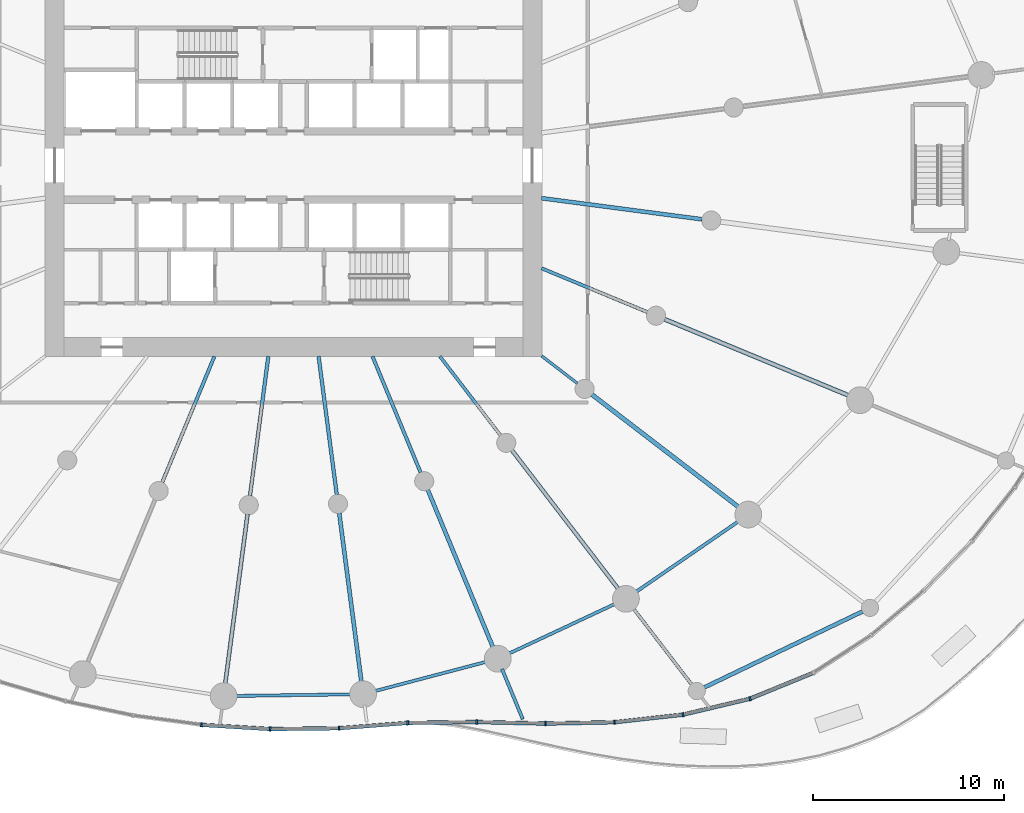
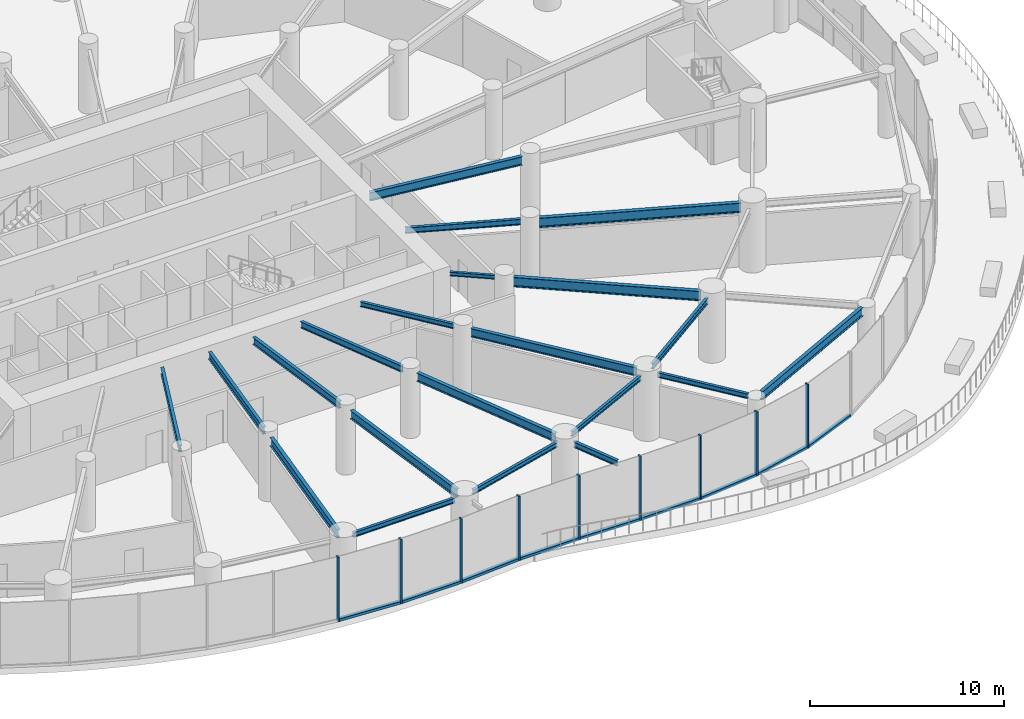
# One storey, part 3 of 19: 21 beams, 18 members, 2 elements without a shape of their own.
"""IFC4 building model written with IfcOpenShell, lengths in metres."""

from ifc_helpers import new_model, si_unit, direction, frame, origin, origin_2d, place, context, subcontext, project, spatial, rectangle, i_section, extrude, source, transform, mapped, material, layer, layer_set, material_profile, profile_set, type_object, element, aggregate, save


model = new_model("IFC4")

# Units and contexts
model_context = context("Model", 3, precision=1e-05, world=origin(), true_north=direction((0.0, 1.0)))
body_context = subcontext(model_context, "Body", "Model", "MODEL_VIEW")
ifc_project = project(units=[si_unit("LENGTHUNIT", "METRE"), si_unit("AREAUNIT", "SQUARE_METRE"), si_unit("VOLUMEUNIT", "CUBIC_METRE"), si_unit("PLANEANGLEUNIT", "RADIAN"), si_unit("MASSUNIT", "GRAM", prefix="KILO")], contexts=[model_context])

# Site, building, storey
site_placement = place(None, origin())
site = spatial("IfcSite", under=ifc_project, at=site_placement, CompositionType="ELEMENT")
building_placement = place(site_placement, origin())
building = spatial("IfcBuilding", under=site, at=building_placement, Name="Spindrift Exchange Tower", CompositionType="ELEMENT")
storey_placement = place(building_placement, frame((0.0, 0.0, 13.800048828125)))
storey = spatial("IfcBuildingStorey", under=building, at=storey_placement, Name="L03", CompositionType="ELEMENT", Elevation=13.800048828125)

# Beams
ifc_material_1 = material(Name="Steel Grade 300", Category="steel")
ifc_material_profile_1 = material_profile(ifc_material_1, i_section(OverallWidth=0.177978515625, OverallDepth=0.406005859375, WebThickness=0.0078125, FlangeThickness=0.0126953125, FilletRadius=0.013916015625, at=origin_2d()), Name="410UB59.7")
ifc_profile_set_1 = profile_set([ifc_material_profile_1], Name="Steel Grade 300")
beam_type_1 = type_object("IfcBeamType", Name="Floor Beam 410UB59.7 Steel Grade 300", PredefinedType="BEAM", material=ifc_profile_set_1)
shared_shape_1 = source(origin(), body_context, "Body", "SweptSolid", [
    extrude(i_section(OverallWidth=0.177978515625, OverallDepth=0.406005859375, WebThickness=0.0078125, FlangeThickness=0.0126953125, FilletRadius=0.013916015625, at=origin_2d()), origin(), (0.0, 0.0, 1.0), 7.150634765625),
])
beam_1_placement = place(storey_placement, frame((47.865478515625, 38.0185546875, 3.846923828125), z_axis=(-0.382665393358, -0.923887004306, 0.0), x_axis=(0.923887004306, -0.382665393358, 0.0)))
element("IfcBeam", 1, at=beam_1_placement, inside=storey, type_object=beam_type_1, Name="L03 radial beam R17A", PredefinedType="BEAM", context=body_context, shape_type="MappedRepresentation", body=[
    mapped(shared_shape_1, transform((0.0, 0.0, 0.0), scale=1.0)),
])
ifc_material_profile_2 = material_profile(ifc_material_1, i_section(OverallWidth=0.18994140625, OverallDepth=0.45703125, WebThickness=0.009033203125, FlangeThickness=0.014404296875, FilletRadius=0.013916015625, at=origin_2d()), Name="460UB74.6")
ifc_profile_set_2 = profile_set([ifc_material_profile_2], Name="Steel Grade 300")
beam_type_2 = type_object("IfcBeamType", Name="Floor Beam 460UB74.6 Steel Grade 300", PredefinedType="BEAM", material=ifc_profile_set_2)
shared_shape_2 = source(origin(), body_context, "Body", "SweptSolid", [
    extrude(i_section(OverallWidth=0.18994140625, OverallDepth=0.45703125, WebThickness=0.009033203125, FlangeThickness=0.014404296875, FilletRadius=0.013916015625, at=origin_2d()), origin(), (0.0, 0.0, 1.0), 7.374267578125),
])
beam_2_placement = place(storey_placement, frame((50.68603515625, 38.019775390625, 3.821533203125), z_axis=(-0.130539295622, -0.99144313619, 0.0), x_axis=(0.99144313619, -0.130539295622, 0.0)))
element("IfcBeam", 2, at=beam_2_placement, inside=storey, type_object=beam_type_2, Name="L03 radial beam R18A", PredefinedType="BEAM", context=body_context, shape_type="MappedRepresentation", body=[
    mapped(shared_shape_2, transform((0.0, 0.0, 0.0), scale=1.0)),
])
ifc_material_profile_3 = material_profile(ifc_material_1, i_section(OverallWidth=0.208984375, OverallDepth=0.532958984375, WebThickness=0.01025390625, FlangeThickness=0.015625, FilletRadius=0.013916015625, at=origin_2d()), Name="530UB92.4")
ifc_profile_set_3 = profile_set([ifc_material_profile_3], Name="Steel Grade 300")
beam_type_3 = type_object("IfcBeamType", Name="Floor Beam 530UB92.4 Steel Grade 300", PredefinedType="BEAM", material=ifc_profile_set_3)
shared_shape_3 = source(origin(), body_context, "Body", "SweptSolid", [
    extrude(i_section(OverallWidth=0.208984375, OverallDepth=0.532958984375, WebThickness=0.01025390625, FlangeThickness=0.015625, FilletRadius=0.013916015625, at=origin_2d()), origin(), (0.0, 0.0, 1.0), 9.020263671875),
])
beam_3_placement = place(storey_placement, frame((49.59814453125, 29.7568359375, 3.783447265625), z_axis=(-0.13051122338, -0.991446831944, 0.0), x_axis=(0.991446831944, -0.13051122338, 0.0)))
element("IfcBeam", 3, at=beam_3_placement, inside=storey, type_object=beam_type_3, Name="L03 radial beam R18B", PredefinedType="BEAM", context=body_context, shape_type="MappedRepresentation", body=[
    mapped(shared_shape_3, transform((0.0, 0.0, 0.0), scale=1.0)),
])
shared_shape_4 = source(origin(), body_context, "Body", "SweptSolid", [
    extrude(i_section(OverallWidth=0.18994140625, OverallDepth=0.45703125, WebThickness=0.009033203125, FlangeThickness=0.014404296875, FilletRadius=0.013916015625, at=origin_2d()), origin(), (0.0, 0.0, 1.0), 7.3095703125),
])
beam_4_placement = place(storey_placement, frame((53.31396484375, 38.019775390625, 3.821533203125), z_axis=(0.130527087244, -0.991444743541, 0.0), x_axis=(0.991444743541, 0.130527087244, 0.0)))
element("IfcBeam", 4, at=beam_4_placement, inside=storey, type_object=beam_type_2, Name="L03 radial beam R19A", PredefinedType="BEAM", context=body_context, shape_type="MappedRepresentation", body=[
    mapped(shared_shape_4, transform((0.0, 0.0, 0.0), scale=1.0)),
])
shared_shape_5 = source(origin(), body_context, "Body", "SweptSolid", [
    extrude(i_section(OverallWidth=0.208984375, OverallDepth=0.532958984375, WebThickness=0.01025390625, FlangeThickness=0.015625, FilletRadius=0.013916015625, at=origin_2d()), origin(), (0.0, 0.0, 1.0), 8.98388671875),
])
beam_5_placement = place(storey_placement, frame((54.393310546875, 29.82080078125, 3.783447265625), z_axis=(0.130524106785, -0.991445135924, 0.0), x_axis=(0.991445135924, 0.130524106785, 0.0)))
element("IfcBeam", 5, at=beam_5_placement, inside=storey, type_object=beam_type_3, Name="L03 radial beam R19B", PredefinedType="BEAM", context=body_context, shape_type="MappedRepresentation", body=[
    mapped(shared_shape_5, transform((0.0, 0.0, 0.0), scale=1.0)),
])
shared_shape_6 = source(origin(), body_context, "Body", "SweptSolid", [
    extrude(i_section(OverallWidth=0.177978515625, OverallDepth=0.406005859375, WebThickness=0.0078125, FlangeThickness=0.0126953125, FilletRadius=0.013916015625, at=origin_2d()), origin(), (0.0, 0.0, 1.0), 6.594482421875),
])
beam_6_placement = place(storey_placement, frame((56.134521484375, 38.0185546875, 3.846923828125), z_axis=(0.382692929746, -0.92387559851, 0.0), x_axis=(0.92387559851, 0.382692929746, 0.0)))
element("IfcBeam", 6, at=beam_6_placement, inside=storey, type_object=beam_type_1, Name="L03 radial beam R20A", PredefinedType="BEAM", context=body_context, shape_type="MappedRepresentation", body=[
    mapped(shared_shape_6, transform((0.0, 0.0, 0.0), scale=1.0)),
])
shared_shape_7 = source(origin(), body_context, "Body", "SweptSolid", [
    extrude(i_section(OverallWidth=0.208984375, OverallDepth=0.532958984375, WebThickness=0.01025390625, FlangeThickness=0.015625, FilletRadius=0.013916015625, at=origin_2d()), origin(), (0.0, 0.0, 1.0), 8.99658203125),
])
beam_7_placement = place(storey_placement, frame((59.025390625, 31.0390625, 3.783447265625), z_axis=(0.382685731718, -0.923878580085, 0.0), x_axis=(0.923878580085, 0.382685731718, 0.0)))
element("IfcBeam", 7, at=beam_7_placement, inside=storey, type_object=beam_type_3, Name="L03 radial beam R20B", PredefinedType="BEAM", context=body_context, shape_type="MappedRepresentation", body=[
    mapped(shared_shape_7, transform((0.0, 0.0, 0.0), scale=1.0)),
])
ifc_material_profile_4 = material_profile(ifc_material_1, i_section(OverallWidth=0.1650390625, OverallDepth=0.303955078125, WebThickness=0.006103515625, FlangeThickness=0.01025390625, FilletRadius=0.011474609375, at=origin_2d()), Name="310UB40.4")
ifc_profile_set_4 = profile_set([ifc_material_profile_4], Name="Steel Grade 300")
beam_type_4 = type_object("IfcBeamType", Name="Floor Beam 310UB40.4 Steel Grade 300", PredefinedType="BEAM", material=ifc_profile_set_4)
shared_shape_8 = source(origin(), body_context, "Body", "SweptSolid", [
    extrude(i_section(OverallWidth=0.1650390625, OverallDepth=0.303955078125, WebThickness=0.006103515625, FlangeThickness=0.01025390625, FilletRadius=0.011474609375, at=origin_2d()), origin(), (0.0, 0.0, 1.0), 5.224609375),
])
beam_8_placement = place(storey_placement, frame((59.6611328125, 38.015869140625, 3.89794921875), z_axis=(0.608741499316, -0.793368632485, 0.0), x_axis=(0.793368632485, 0.608741499316, 0.0)))
element("IfcBeam", 8, at=beam_8_placement, inside=storey, type_object=beam_type_4, Name="L03 radial beam R21A", PredefinedType="BEAM", context=body_context, shape_type="MappedRepresentation", body=[
    mapped(shared_shape_8, transform((0.0, 0.0, 0.0), scale=1.0)),
])
shared_shape_9 = source(origin(), body_context, "Body", "SweptSolid", [
    extrude(i_section(OverallWidth=0.208984375, OverallDepth=0.532958984375, WebThickness=0.01025390625, FlangeThickness=0.015625, FilletRadius=0.013916015625, at=origin_2d()), origin(), (0.0, 0.0, 1.0), 9.227783203125),
])
beam_9_placement = place(storey_placement, frame((63.426025390625, 33.109375, 3.783447265625), z_axis=(0.608747534474, -0.79336400175, 0.0), x_axis=(0.79336400175, 0.608747534474, 0.0)))
element("IfcBeam", 9, at=beam_9_placement, inside=storey, type_object=beam_type_3, Name="L03 radial beam R21B", PredefinedType="BEAM", context=body_context, shape_type="MappedRepresentation", body=[
    mapped(shared_shape_9, transform((0.0, 0.0, 0.0), scale=1.0)),
])
ifc_material_profile_5 = material_profile(ifc_material_1, i_section(OverallWidth=0.14599609375, OverallDepth=0.251953125, WebThickness=0.006103515625, FlangeThickness=0.008544921875, FilletRadius=0.011962890625, at=origin_2d()), Name="250UB31.4")
ifc_profile_set_5 = profile_set([ifc_material_profile_5], Name="Steel Grade 300")
beam_type_5 = type_object("IfcBeamType", Name="Floor Beam 250UB31.4 Steel Grade 300", PredefinedType="BEAM", material=ifc_profile_set_5)
shared_shape_10 = source(origin(), body_context, "Body", "SweptSolid", [
    extrude(i_section(OverallWidth=0.14599609375, OverallDepth=0.251953125, WebThickness=0.006103515625, FlangeThickness=0.008544921875, FilletRadius=0.011962890625, at=origin_2d()), origin(), (0.0, 0.0, 1.0), 2.353759765625),
])
beam_10_placement = place(storey_placement, frame((64.984130859375, 38.036865234375, 3.924072265625), z_axis=(0.793367573265, -0.608742879787, 0.0), x_axis=(0.608742879787, 0.793367573265, 0.0)))
element("IfcBeam", 10, at=beam_10_placement, inside=storey, type_object=beam_type_5, Name="L03 radial beam R22A", PredefinedType="BEAM", context=body_context, shape_type="MappedRepresentation", body=[
    mapped(shared_shape_10, transform((0.0, 0.0, 0.0), scale=1.0)),
])
ifc_material_profile_6 = material_profile(ifc_material_1, i_section(OverallWidth=0.22802734375, OverallDepth=0.60693359375, WebThickness=0.01123046875, FlangeThickness=0.017333984375, FilletRadius=0.013916015625, at=origin_2d()), Name="610UB113")
ifc_profile_set_6 = profile_set([ifc_material_profile_6], Name="Steel Grade 300")
beam_type_6 = type_object("IfcBeamType", Name="Floor Beam 610UB113 Steel Grade 300", PredefinedType="BEAM", material=ifc_profile_set_6)
shared_shape_11 = source(origin(), body_context, "Body", "SweptSolid", [
    extrude(i_section(OverallWidth=0.22802734375, OverallDepth=0.60693359375, WebThickness=0.01123046875, FlangeThickness=0.017333984375, FilletRadius=0.013916015625, at=origin_2d()), origin(), (0.0, 0.0, 1.0), 9.73974609375),
])
beam_11_placement = place(storey_placement, frame((67.61328125, 36.01953125, 3.746337890625), z_axis=(0.793352119621, -0.608763019814, 0.0), x_axis=(0.608763019814, 0.793352119621, 0.0)))
element("IfcBeam", 11, at=beam_11_placement, inside=storey, type_object=beam_type_6, Name="L03 radial beam R22B", PredefinedType="BEAM", context=body_context, shape_type="MappedRepresentation", body=[
    mapped(shared_shape_11, transform((0.0, 0.0, 0.0), scale=1.0)),
])
ifc_material_profile_7 = material_profile(ifc_material_1, i_section(OverallWidth=0.172119140625, OverallDepth=0.35888671875, WebThickness=0.008056640625, FlangeThickness=0.012939453125, FilletRadius=0.013916015625, at=origin_2d()), Name="360UB56.7")
ifc_profile_set_7 = profile_set([ifc_material_profile_7], Name="Steel Grade 300")
beam_type_7 = type_object("IfcBeamType", Name="Floor Beam 360UB56.7 Steel Grade 300", PredefinedType="BEAM", material=ifc_profile_set_7)
shared_shape_12 = source(origin(), body_context, "Body", "SweptSolid", [
    extrude(i_section(OverallWidth=0.172119140625, OverallDepth=0.35888671875, WebThickness=0.008056640625, FlangeThickness=0.012939453125, FilletRadius=0.013916015625, at=origin_2d()), origin(), (0.0, 0.0, 1.0), 6.004638671875),
])
beam_12_placement = place(storey_placement, frame((64.9814453125, 42.622802734375, 3.870361328125), z_axis=(0.923882044911, -0.38267736684, 0.0), x_axis=(0.38267736684, 0.923882044911, 0.0)))
element("IfcBeam", 12, at=beam_12_placement, inside=storey, type_object=beam_type_7, Name="L03 radial beam R23A", PredefinedType="BEAM", context=body_context, shape_type="MappedRepresentation", body=[
    mapped(shared_shape_12, transform((0.0, 0.0, 0.0), scale=1.0)),
])
shared_shape_13 = source(origin(), body_context, "Body", "SweptSolid", [
    extrude(i_section(OverallWidth=0.22802734375, OverallDepth=0.60693359375, WebThickness=0.01123046875, FlangeThickness=0.017333984375, FilletRadius=0.013916015625, at=origin_2d()), origin(), (0.0, 0.0, 1.0), 10.4912109375),
])
beam_13_placement = place(storey_placement, frame((71.416015625, 39.95751953125, 3.746337890625), z_axis=(0.923885231151, -0.382669674342, 0.0), x_axis=(0.382669674342, 0.923885231151, 0.0)))
element("IfcBeam", 13, at=beam_13_placement, inside=storey, type_object=beam_type_6, Name="L03 radial beam R23B", PredefinedType="BEAM", context=body_context, shape_type="MappedRepresentation", body=[
    mapped(shared_shape_13, transform((0.0, 0.0, 0.0), scale=1.0)),
])
shared_shape_14 = source(origin(), body_context, "Body", "SweptSolid", [
    extrude(i_section(OverallWidth=0.208984375, OverallDepth=0.532958984375, WebThickness=0.01025390625, FlangeThickness=0.015625, FilletRadius=0.013916015625, at=origin_2d()), origin(), (0.0, 0.0, 1.0), 8.4794921875),
])
beam_14_placement = place(storey_placement, frame((64.980224609375, 46.291015625, 3.783447265625), z_axis=(0.991446551951, -0.13051335037, 0.0), x_axis=(0.13051335037, 0.991446551951, 0.0)))
element("IfcBeam", 14, at=beam_14_placement, inside=storey, type_object=beam_type_3, Name="L03 radial beam R24A", PredefinedType="BEAM", context=body_context, shape_type="MappedRepresentation", body=[
    mapped(shared_shape_14, transform((0.0, 0.0, 0.0), scale=1.0)),
])
shared_shape_15 = source(origin(), body_context, "Body", "SweptSolid", [
    extrude(i_section(OverallWidth=0.1650390625, OverallDepth=0.303955078125, WebThickness=0.006103515625, FlangeThickness=0.01025390625, FilletRadius=0.011474609375, at=origin_2d()), origin(), (0.0, 0.0, 1.0), 5.072509765625),
])
beam_15_placement = place(storey_placement, frame((69.749755859375, 24.8681640625, 3.89794921875), z_axis=(0.608742705523, -0.793367706976, 0.0), x_axis=(0.793367706976, 0.608742705523, 0.0)))
element("IfcBeam", 15, at=beam_15_placement, inside=storey, type_object=beam_type_4, Name="L03 radial beam R21C1", PredefinedType="BEAM", context=body_context, shape_type="MappedRepresentation", body=[
    mapped(shared_shape_15, transform((0.0, 0.0, 0.0), scale=1.0)),
])
ifc_material_profile_8 = material_profile(ifc_material_1, i_section(OverallWidth=0.1650390625, OverallDepth=0.303955078125, WebThickness=0.006103515625, FlangeThickness=0.01025390625, FilletRadius=0.011474609375, at=origin_2d()), Name="310UB40.4")
ifc_profile_set_8 = profile_set([ifc_material_profile_8], Name="Steel Grade 300")
beam_type_8 = type_object("IfcBeamType", Name="Edge Beam 310UB40.4 Steel Grade 300", PredefinedType="SPANDREL", material=ifc_profile_set_8)
shared_shape_16 = source(origin(), body_context, "Body", "SweptSolid", [
    extrude(i_section(OverallWidth=0.1650390625, OverallDepth=0.303955078125, WebThickness=0.006103515625, FlangeThickness=0.01025390625, FilletRadius=0.011474609375, at=origin_2d()), origin(), (0.0, 0.0, 1.0), 6.13720703125),
])
beam_16_placement = place(storey_placement, frame((48.925048828125, 20.24658203125, 3.89794921875), z_axis=(0.999905820907, 0.013724041543, 0.0), x_axis=(-0.013724041543, 0.999905820907, 0.0)))
element("IfcBeam", 16, at=beam_16_placement, inside=storey, type_object=beam_type_8, Name="L03 edge beam E18", PredefinedType="SPANDREL", context=body_context, shape_type="MappedRepresentation", body=[
    mapped(shared_shape_16, transform((0.0, 0.0, 0.0), scale=1.0)),
])
shared_shape_17 = source(origin(), body_context, "Body", "SweptSolid", [
    extrude(i_section(OverallWidth=0.1650390625, OverallDepth=0.303955078125, WebThickness=0.006103515625, FlangeThickness=0.01025390625, FilletRadius=0.011474609375, at=origin_2d()), origin(), (0.0, 0.0, 1.0), 6.128173828125),
])
beam_17_placement = place(storey_placement, frame((56.20263671875, 20.486083984375, 3.89794921875), z_axis=(0.967147261855, 0.254216785216, 0.0), x_axis=(-0.254216785216, 0.967147261855, 0.0)))
element("IfcBeam", 17, at=beam_17_placement, inside=storey, type_object=beam_type_8, Name="L03 edge beam E19", PredefinedType="SPANDREL", context=body_context, shape_type="MappedRepresentation", body=[
    mapped(shared_shape_17, transform((0.0, 0.0, 0.0), scale=1.0)),
])
shared_shape_18 = source(origin(), body_context, "Body", "SweptSolid", [
    extrude(i_section(OverallWidth=0.1650390625, OverallDepth=0.303955078125, WebThickness=0.006103515625, FlangeThickness=0.01025390625, FilletRadius=0.011474609375, at=origin_2d()), origin(), (0.0, 0.0, 1.0), 6.243408203125),
])
beam_18_placement = place(storey_placement, frame((63.2158203125, 22.43701171875, 3.89794921875), z_axis=(0.905791146607, 0.423724437257, 0.0), x_axis=(-0.423724437257, 0.905791146607, 0.0)))
element("IfcBeam", 18, at=beam_18_placement, inside=storey, type_object=beam_type_8, Name="L03 edge beam E20", PredefinedType="SPANDREL", context=body_context, shape_type="MappedRepresentation", body=[
    mapped(shared_shape_18, transform((0.0, 0.0, 0.0), scale=1.0)),
])
ifc_material_profile_9 = material_profile(ifc_material_1, i_section(OverallWidth=0.172119140625, OverallDepth=0.35888671875, WebThickness=0.008056640625, FlangeThickness=0.012939453125, FilletRadius=0.013916015625, at=origin_2d()), Name="360UB56.7")
ifc_profile_set_9 = profile_set([ifc_material_profile_9], Name="Steel Grade 300")
beam_type_9 = type_object("IfcBeamType", Name="Edge Beam 360UB56.7 Steel Grade 300", PredefinedType="SPANDREL", material=ifc_profile_set_9)
shared_shape_19 = source(origin(), body_context, "Body", "SweptSolid", [
    extrude(i_section(OverallWidth=0.172119140625, OverallDepth=0.35888671875, WebThickness=0.008056640625, FlangeThickness=0.012939453125, FilletRadius=0.013916015625, at=origin_2d()), origin(), (0.0, 0.0, 1.0), 6.614990234375),
])
beam_19_placement = place(storey_placement, frame((69.874267578125, 25.6572265625, 3.870361328125), z_axis=(0.823690708835, 0.567039342708, 0.0), x_axis=(-0.567039342708, 0.823690708835, 0.0)))
element("IfcBeam", 19, at=beam_19_placement, inside=storey, type_object=beam_type_9, Name="L03 edge beam E21", PredefinedType="SPANDREL", context=body_context, shape_type="MappedRepresentation", body=[
    mapped(shared_shape_19, transform((0.0, 0.0, 0.0), scale=1.0)),
])
ifc_material_profile_10 = material_profile(ifc_material_1, i_section(OverallWidth=0.172119140625, OverallDepth=0.35888671875, WebThickness=0.008056640625, FlangeThickness=0.012939453125, FilletRadius=0.013916015625, at=origin_2d()), Name="360UB56.7")
ifc_profile_set_10 = profile_set([ifc_material_profile_10], Name="Steel Grade 300")
beam_type_10 = type_object("IfcBeamType", Name="Cantilever Beam 360UB56.7 Steel Grade 300", PredefinedType="BEAM", material=ifc_profile_set_10)
shared_shape_20 = source(origin(), body_context, "Body", "SweptSolid", [
    extrude(i_section(OverallWidth=0.172119140625, OverallDepth=0.35888671875, WebThickness=0.008056640625, FlangeThickness=0.012939453125, FilletRadius=0.013916015625, at=origin_2d()), origin(), (0.0, 0.0, 1.0), 2.839599609375),
])
beam_20_placement = place(storey_placement, frame((62.912109375, 21.655517578125, 3.870361328125), z_axis=(0.382673236281, -0.923883755802, 0.0), x_axis=(0.923883755802, 0.382673236281, 0.0)))
element("IfcBeam", 20, at=beam_20_placement, inside=storey, type_object=beam_type_10, Name="L03 cantilever beam R20T", PredefinedType="BEAM", context=body_context, shape_type="MappedRepresentation", body=[
    mapped(shared_shape_20, transform((0.0, 0.0, 0.0), scale=1.0)),
])
ifc_material_profile_11 = material_profile(ifc_material_1, i_section(OverallWidth=0.208984375, OverallDepth=0.532958984375, WebThickness=0.01025390625, FlangeThickness=0.015625, FilletRadius=0.013916015625, at=origin_2d()), Name="530UB92.4")
ifc_profile_set_11 = profile_set([ifc_material_profile_11], Name="Steel Grade 300")
beam_type_11 = type_object("IfcBeamType", Name="Edge Beam 530UB92.4 Steel Grade 300", PredefinedType="SPANDREL", material=ifc_profile_set_11)
shared_shape_21 = source(origin(), body_context, "Body", "SweptSolid", [
    extrude(i_section(OverallWidth=0.208984375, OverallDepth=0.532958984375, WebThickness=0.01025390625, FlangeThickness=0.015625, FilletRadius=0.013916015625, at=origin_2d()), origin(), (0.0, 0.0, 1.0), 9.195068359375),
])
beam_21_placement = place(storey_placement, frame((73.4873046875, 20.688720703125, 3.783447265625), z_axis=(0.901522228818, 0.432732793935, 0.0), x_axis=(-0.432732793935, 0.901522228818, 0.0)))
element("IfcBeam", 21, at=beam_21_placement, inside=storey, type_object=beam_type_11, Name="L03 cascade edge beam G21", PredefinedType="SPANDREL", context=body_context, shape_type="MappedRepresentation", body=[
    mapped(shared_shape_21, transform((0.0, 0.0, 0.0), scale=1.0)),
])

# Curtain wall, member
ifc_material_2 = material(Name="Fritted laminated glass with bronze frame", Category="glass")
ifc_layer = layer(ifc_material_2, 0.219970703125)
ifc_layer_set = layer_set([ifc_layer], Name="PODIUM BRONZE GLAZED WALL")
curtain_wall_type = type_object("IfcCurtainWallType", Name="PODIUM BRONZE GLAZED WALL", PredefinedType="NOTDEFINED", material=ifc_layer_set)
curtain_wall_1_placement = place(storey_placement, origin())
curtain_wall_1 = element("IfcCurtainWall", 22, at=curtain_wall_1_placement, inside=storey, type_object=curtain_wall_type, Name="L03 Podium Bronze Glazed Wall run 9", PredefinedType="NOTDEFINED")
ifc_material_3 = material(Name="Bronze anodised aluminium", Category="aluminium")
ifc_material_profile_12 = material_profile(ifc_material_3, rectangle(XDim=0.199951171875, YDim=0.159912109375, at=origin_2d()), Name="PODIUM BRONZE GLAZED WALL TRANSOM 200X160")
ifc_profile_set_12 = profile_set([ifc_material_profile_12], Name="Bronze anodised aluminium")
member_type_1 = type_object("IfcMemberType", Name="PODIUM BRONZE GLAZED WALL TRANSOM 200X160", PredefinedType="USERDEFINED", material=ifc_profile_set_12)
shared_shape_22 = source(origin(), body_context, "Body", "SweptSolid", [
    extrude(rectangle(XDim=0.199951171875, YDim=0.159912109375, at=origin_2d()), origin(), (0.0, 0.0, 1.0), 3.511962890625),
])
member_1_placement = place(storey_placement, frame((75.92724609375, 20.11767578125, 0.079833984375), z_axis=(0.925645481875, 0.378391915723, 0.0), x_axis=(-0.378391915723, 0.925645481875, 0.0)))
member_1 = element("IfcMember", 23, at=member_1_placement, type_object=member_type_1, Name="L03 transom CW-P.54", ObjectType="TRANSOM", PredefinedType="USERDEFINED", context=body_context, shape_type="MappedRepresentation", body=[
    mapped(shared_shape_22, transform((0.0, 0.0, 0.0), scale=1.0)),
])

# Curtain wall, members
curtain_wall_2_placement = place(storey_placement, origin())
curtain_wall_2 = element("IfcCurtainWall", 24, at=curtain_wall_2_placement, inside=storey, type_object=curtain_wall_type, Name="L03 Podium Bronze Glazed Wall run 8", PredefinedType="NOTDEFINED")
ifc_material_profile_13 = material_profile(ifc_material_3, rectangle(XDim=0.090087890625, YDim=0.219970703125, at=origin_2d()), Name="PODIUM BRONZE GLAZED WALL MULLION 90X220")
ifc_profile_set_13 = profile_set([ifc_material_profile_13], Name="Bronze anodised aluminium")
member_type_2 = type_object("IfcMemberType", Name="PODIUM BRONZE GLAZED WALL MULLION 90X220", PredefinedType="MULLION", material=ifc_profile_set_13)
shared_shape_23 = source(origin(), body_context, "Body", "SweptSolid", [
    extrude(rectangle(XDim=0.090087890625, YDim=0.219970703125, at=origin_2d()), origin(), (0.0, 0.0, 1.0), 4.050048828125),
])
member_2_placement = place(storey_placement, frame((47.180908203125, 18.734619140625, 0.0), z_axis=(0.0, 0.0, 1.0), x_axis=(0.995270143637, -0.097145978736, 0.0)))
member_2 = element("IfcMember", 25, at=member_2_placement, type_object=member_type_2, Name="L03 mullion CW-P.46", PredefinedType="MULLION", context=body_context, shape_type="MappedRepresentation", body=[
    mapped(shared_shape_23, transform((0.0, 0.0, 0.0), scale=1.0)),
])
member_3_placement = place(storey_placement, frame((50.780029296875, 18.515380859375, 0.0), z_axis=(0.0, 0.0, 1.0), x_axis=(0.999699374412, -0.024518580704, 0.0)))
member_3 = element("IfcMember", 26, at=member_3_placement, type_object=member_type_2, Name="L03 mullion CW-P.47", PredefinedType="MULLION", context=body_context, shape_type="MappedRepresentation", body=[
    mapped(shared_shape_23, transform((0.0, 0.0, 0.0), scale=1.0)),
])
member_4_placement = place(storey_placement, frame((54.385498046875, 18.557861328125, 0.0), z_axis=(0.0, 0.0, 1.0), x_axis=(0.999008546473, 0.04451880584, 0.0)))
member_4 = element("IfcMember", 27, at=member_4_placement, type_object=member_type_2, Name="L03 mullion CW-P.48", PredefinedType="MULLION", context=body_context, shape_type="MappedRepresentation", body=[
    mapped(shared_shape_23, transform((0.0, 0.0, 0.0), scale=1.0)),
])

# Member
member_5_placement = place(storey_placement, frame((57.980712890625, 18.83642578125, 0.0), z_axis=(0.0, 0.0, 1.0), x_axis=(0.998981785457, 0.045115322506, 0.0)))
member_5 = element("IfcMember", 28, at=member_5_placement, type_object=member_type_2, Name="L03 mullion CW-P.49", PredefinedType="MULLION", context=body_context, shape_type="MappedRepresentation", body=[
    mapped(shared_shape_23, transform((0.0, 0.0, 0.0), scale=1.0)),
])

member_6_placement = place(storey_placement, frame((61.585693359375, 18.883056640625, 0.0), z_axis=(0.0, 0.0, 1.0), x_axis=(0.999989028774, -0.004684264177, 0.0)))
member_6 = element("IfcMember", 29, at=member_6_placement, type_object=member_type_2, Name="L03 mullion CW-P.50", PredefinedType="MULLION", context=body_context, shape_type="MappedRepresentation", body=[
    mapped(shared_shape_23, transform((0.0, 0.0, 0.0), scale=1.0)),
])

member_7_placement = place(storey_placement, frame((65.19140625, 18.802490234375, 0.0), z_axis=(0.0, 0.0, 1.0), x_axis=(0.999999079636, -0.001356733861, 0.0)))
member_7 = element("IfcMember", 30, at=member_7_placement, type_object=member_type_2, Name="L03 mullion CW-P.51", PredefinedType="MULLION", context=body_context, shape_type="MappedRepresentation", body=[
    mapped(shared_shape_23, transform((0.0, 0.0, 0.0), scale=1.0)),
])

member_8_placement = place(storey_placement, frame((68.796630859375, 18.873291015625, 0.0), z_axis=(0.0, 0.0, 1.0), x_axis=(0.997910202316, 0.064616005089, 0.0)))
member_8 = element("IfcMember", 31, at=member_8_placement, type_object=member_type_2, Name="L03 mullion CW-P.52", PredefinedType="MULLION", context=body_context, shape_type="MappedRepresentation", body=[
    mapped(shared_shape_23, transform((0.0, 0.0, 0.0), scale=1.0)),
])

member_9_placement = place(storey_placement, frame((72.379638671875, 19.26806640625, 0.0), z_axis=(0.0, 0.0, 1.0), x_axis=(0.985335498338, 0.170628121114, 0.0)))
member_9 = element("IfcMember", 32, at=member_9_placement, type_object=member_type_2, Name="L03 mullion CW-P.53", PredefinedType="MULLION", context=body_context, shape_type="MappedRepresentation", body=[
    mapped(shared_shape_23, transform((0.0, 0.0, 0.0), scale=1.0)),
])

member_10_placement = place(storey_placement, frame((75.885498046875, 20.1005859375, 0.0), z_axis=(0.0, 0.0, 1.0), x_axis=(0.952147891654, 0.305637681609, 0.0)))
member_10 = element("IfcMember", 33, at=member_10_placement, type_object=member_type_2, Name="L03 mullion CW-P.54", PredefinedType="MULLION", context=body_context, shape_type="MappedRepresentation", body=[
    mapped(shared_shape_23, transform((0.0, 0.0, 0.0), scale=1.0)),
])

shared_shape_24 = source(origin(), body_context, "Body", "SweptSolid", [
    extrude(rectangle(XDim=0.199951171875, YDim=0.159912109375, at=origin_2d()), origin(), (0.0, 0.0, 1.0), 3.51611328125),
])
member_11_placement = place(storey_placement, frame((54.430419921875, 18.561279296875, 0.079833984375), z_axis=(0.997009386252, 0.077280552051, 0.0), x_axis=(-0.077280552051, 0.997009386252, 0.0)))
member_11 = element("IfcMember", 34, at=member_11_placement, type_object=member_type_1, Name="L03 transom CW-P.48", ObjectType="TRANSOM", PredefinedType="USERDEFINED", context=body_context, shape_type="MappedRepresentation", body=[
    mapped(shared_shape_24, transform((0.0, 0.0, 0.0), scale=1.0)),
])

shared_shape_25 = source(origin(), body_context, "Body", "SweptSolid", [
    extrude(rectangle(XDim=0.199951171875, YDim=0.159912109375, at=origin_2d()), origin(), (0.0, 0.0, 1.0), 3.5166015625),
])
member_12_placement = place(storey_placement, frame((61.630859375, 18.882080078125, 0.079833984375), z_axis=(0.999751633358, -0.02228613016, 0.0), x_axis=(0.02228613016, 0.999751633358, 0.0)))
member_12 = element("IfcMember", 35, at=member_12_placement, type_object=member_type_1, Name="L03 transom CW-P.50", ObjectType="TRANSOM", PredefinedType="USERDEFINED", context=body_context, shape_type="MappedRepresentation", body=[
    mapped(shared_shape_25, transform((0.0, 0.0, 0.0), scale=1.0)),
])

shared_shape_26 = source(origin(), body_context, "Body", "SweptSolid", [
    extrude(rectangle(XDim=0.199951171875, YDim=0.159912109375, at=origin_2d()), origin(), (0.0, 0.0, 1.0), 3.514892578125),
])
member_13_placement = place(storey_placement, frame((68.84130859375, 18.878173828125, 0.079833984375), z_axis=(0.993982442956, 0.10953950472, 0.0), x_axis=(-0.10953950472, 0.993982442956, 0.0)))
member_13 = element("IfcMember", 36, at=member_13_placement, type_object=member_type_1, Name="L03 transom CW-P.52", ObjectType="TRANSOM", PredefinedType="USERDEFINED", context=body_context, shape_type="MappedRepresentation", body=[
    mapped(shared_shape_26, transform((0.0, 0.0, 0.0), scale=1.0)),
])

shared_shape_27 = source(origin(), body_context, "Body", "SweptSolid", [
    extrude(rectangle(XDim=0.199951171875, YDim=0.159912109375, at=origin_2d()), origin(), (0.0, 0.0, 1.0), 3.513427734375),
])
member_14_placement = place(storey_placement, frame((72.423583984375, 19.2783203125, 0.079833984375), z_axis=(0.972924637208, 0.231122587198, 0.0), x_axis=(-0.231122587198, 0.972924637208, 0.0)))
member_14 = element("IfcMember", 37, at=member_14_placement, type_object=member_type_1, Name="L03 transom CW-P.53", ObjectType="TRANSOM", PredefinedType="USERDEFINED", context=body_context, shape_type="MappedRepresentation", body=[
    mapped(shared_shape_27, transform((0.0, 0.0, 0.0), scale=1.0)),
])

shared_shape_28 = source(origin(), body_context, "Body", "SweptSolid", [
    extrude(rectangle(XDim=0.199951171875, YDim=0.159912109375, at=origin_2d()), origin(), (0.0, 0.0, 1.0), 3.515869140625),
])
member_15_placement = place(storey_placement, frame((47.225830078125, 18.731689453125, 0.079833984375), z_axis=(0.99815653293, -0.060692139264, 0.0), x_axis=(0.060692139264, 0.99815653293, 0.0)))
member_15 = element("IfcMember", 38, at=member_15_placement, type_object=member_type_1, Name="L03 transom CW-P.46", ObjectType="TRANSOM", PredefinedType="USERDEFINED", context=body_context, shape_type="MappedRepresentation", body=[
    mapped(shared_shape_28, transform((0.0, 0.0, 0.0), scale=1.0)),
])

member_16_placement = place(storey_placement, frame((50.824951171875, 18.51611328125, 0.079833984375), z_axis=(0.999931138961, 0.01173530295, 0.0), x_axis=(-0.01173530295, 0.999931138961, 0.0)))
member_16 = element("IfcMember", 39, at=member_16_placement, type_object=member_type_1, Name="L03 transom CW-P.47", ObjectType="TRANSOM", PredefinedType="USERDEFINED", context=body_context, shape_type="MappedRepresentation", body=[
    mapped(shared_shape_28, transform((0.0, 0.0, 0.0), scale=1.0)),
])

aggregate(curtain_wall_2, [member_2, member_15, member_3, member_16, member_4, member_11])

member_17_placement = place(storey_placement, frame((65.236572265625, 18.803466796875, 0.079833984375), z_axis=(0.999808248419, 0.019582297962, 0.0), x_axis=(-0.019582297962, 0.999808248419, 0.0)))
member_17 = element("IfcMember", 40, at=member_17_placement, type_object=member_type_1, Name="L03 transom CW-P.51", ObjectType="TRANSOM", PredefinedType="USERDEFINED", context=body_context, shape_type="MappedRepresentation", body=[
    mapped(shared_shape_28, transform((0.0, 0.0, 0.0), scale=1.0)),
])

shared_shape_29 = source(origin(), body_context, "Body", "SweptSolid", [
    extrude(rectangle(XDim=0.199951171875, YDim=0.159912109375, at=origin_2d()), origin(), (0.0, 0.0, 1.0), 3.51513671875),
])
member_18_placement = place(storey_placement, frame((58.02587890625, 18.8369140625, 0.079833984375), z_axis=(0.999916555537, 0.012918280151, 0.0), x_axis=(-0.012918280151, 0.999916555537, 0.0)))
member_18 = element("IfcMember", 41, at=member_18_placement, type_object=member_type_1, Name="L03 transom CW-P.49", ObjectType="TRANSOM", PredefinedType="USERDEFINED", context=body_context, shape_type="MappedRepresentation", body=[
    mapped(shared_shape_29, transform((0.0, 0.0, 0.0), scale=1.0)),
])

aggregate(curtain_wall_1, [member_5, member_18, member_6, member_12, member_7, member_17, member_8, member_13, member_9, member_14, member_10, member_1])

save(model, "model.ifc")
